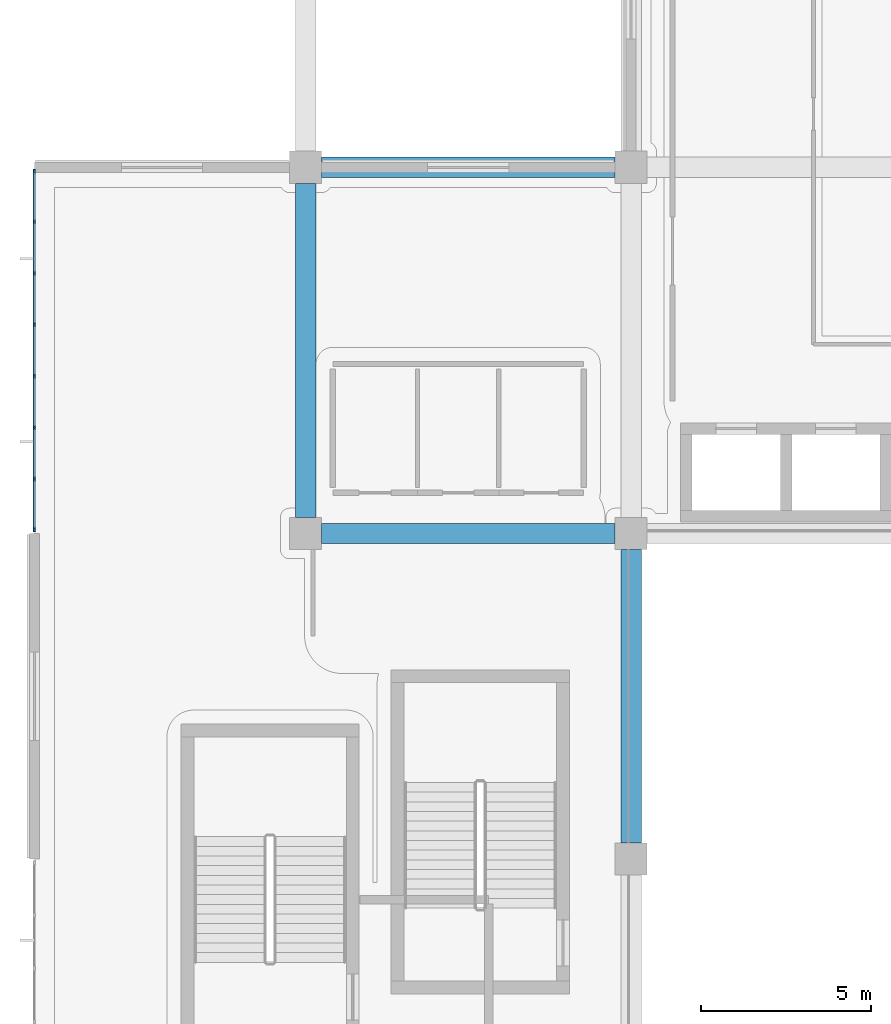
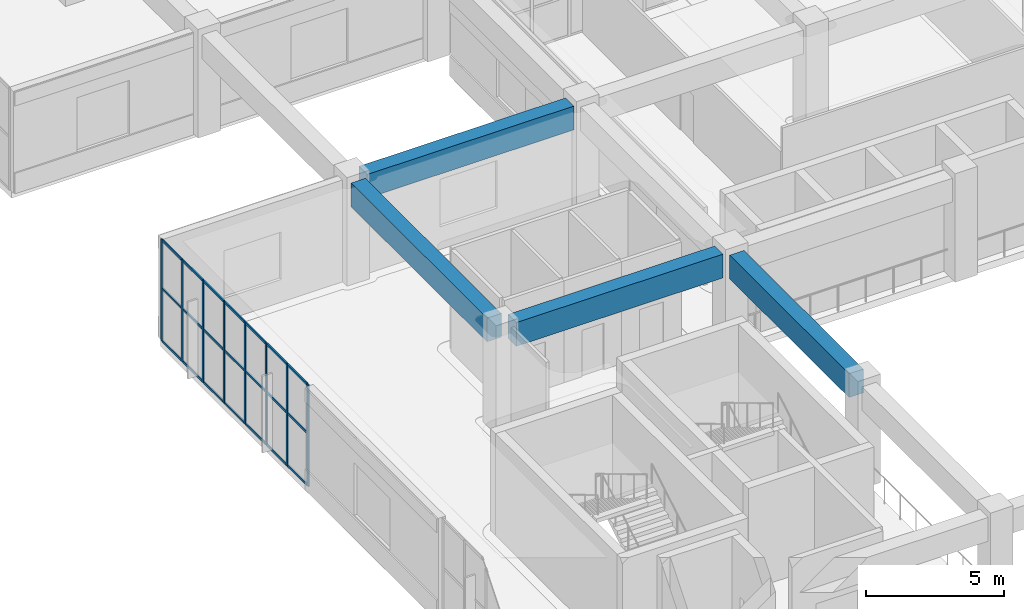
# One storey, part 11 of 86: 29 members, 4 beams, 1 element without a shape of its own.
"""IFC4 building model written with IfcOpenShell, lengths in metres."""

from ifc_helpers import new_model, si_unit, direction, frame, origin, origin_2d, place, context, subcontext, project, spatial, rectangle, extrude, material, layer, layer_set, material_profile, profile_set, type_object, element, aggregate, save


model = new_model("IFC4")

# Units and contexts
model_context = context("Model", 3, precision=1e-05, world=origin(), true_north=direction((0.0, 1.0)))
body_context = subcontext(model_context, "Body", "Model", "MODEL_VIEW")
ifc_project = project(units=[si_unit("LENGTHUNIT", "METRE"), si_unit("AREAUNIT", "SQUARE_METRE"), si_unit("VOLUMEUNIT", "CUBIC_METRE"), si_unit("PLANEANGLEUNIT", "RADIAN"), si_unit("MASSUNIT", "GRAM", prefix="KILO")], contexts=[model_context])

# Site, building, storey
site_placement = place(None, origin())
site = spatial("IfcSite", under=ifc_project, at=site_placement, CompositionType="ELEMENT")
building_placement = place(site_placement, origin())
building = spatial("IfcBuilding", under=site, at=building_placement, Name="Cendralis Terraced Arcade", CompositionType="ELEMENT")
storey_placement = place(building_placement, frame((0.0, 0.0, 5.39990234375)))
storey = spatial("IfcBuildingStorey", under=building, at=storey_placement, Name="L01", CompositionType="ELEMENT", Elevation=5.39990234375)

# Beams
ifc_material_1 = material(Name="Concrete f'c 35 MPa", Category="concrete")
ifc_material_profile_1 = material_profile(ifc_material_1, rectangle(XDim=0.60009765625, YDim=1.050048828125, at=origin_2d()), Name="RC-BM-600x1050", Category="LoadBearing")
ifc_profile_set_1 = profile_set([ifc_material_profile_1], Name="Concrete f'c 35 MPa")
beam_type = type_object("IfcBeamType", Name="BM-600x1050", PredefinedType="JOIST", material=ifc_profile_set_1)
for number, where, z_axis, x_axis, name in (
    (1, (10.074951171875, 38.39990234375, 3.97998046875), (1.0, 0.0, 0.0), (0.0, 1.0, 0.0), "Reinforced Concrete Frame Beam BM-X-L02-E-2_3"),
    (2, (10.074951171875, 49.199951171875, 3.97998046875), (1.0, 0.0, 0.0), (0.0, 1.0, 0.0), "Reinforced Concrete Frame Beam BM-X-L02-F-2_3"),
):
    element("IfcBeam", number, at=place(storey_placement, frame(where, z_axis=z_axis, x_axis=x_axis)), inside=storey, type_object=beam_type, Name=name, PredefinedType="JOIST", context=body_context, shape_type="SweptSolid", body=[
        extrude(rectangle(XDim=0.60009765625, YDim=1.050048828125, at=origin_2d()), origin(), (0.0, 0.0, 1.0), 8.650146484375),
    ])
beam_1_placement = place(storey_placement, frame((9.60009765625, 38.875, 3.97998046875), z_axis=(0.0, 1.0, 0.0), x_axis=(-1.0, 0.0, 0.0)))
element("IfcBeam", 3, at=beam_1_placement, inside=storey, type_object=beam_type, Name="Reinforced Concrete Frame Beam BM-Y-L02-2-E_F", PredefinedType="JOIST", context=body_context, shape_type="SweptSolid", body=[
    extrude(rectangle(XDim=0.60009765625, YDim=1.050048828125, at=origin_2d()), origin(), (0.0, 0.0, 1.0), 9.85009765625),
])
beam_2_placement = place(storey_placement, frame((19.199951171875, 29.27490234375, 3.97998046875), z_axis=(0.0, 1.0, 0.0), x_axis=(-1.0, 0.0, 0.0)))
element("IfcBeam", 4, at=beam_2_placement, inside=storey, type_object=beam_type, Name="Reinforced Concrete Frame Beam BM-Y-L02-3-D_E", PredefinedType="JOIST", context=body_context, shape_type="SweptSolid", body=[
    extrude(rectangle(XDim=0.60009765625, YDim=1.050048828125, at=origin_2d()), origin(), (0.0, 0.0, 1.0), 8.650146484375),
])

# Curtain wall, members
ifc_material_2 = material(Name="Anodised aluminium EN AW-6063 T6", Category="aluminium")
ifc_layer = layer(ifc_material_2, 0.1201171875, Name="CW-STORE-B")
ifc_layer_set = layer_set([ifc_layer], Name="Anodised aluminium EN AW-6063 T6")
curtain_wall_type = type_object("IfcCurtainWallType", Name="CW-STORE-B", PredefinedType="USERDEFINED", material=ifc_layer_set)
curtain_wall_placement = place(storey_placement, origin())
curtain_wall = element("IfcCurtainWall", 5, at=curtain_wall_placement, inside=storey, type_object=curtain_wall_type, Name="Exterior Storefront Glazing CW-L01-0109", ObjectType="STOREFRONT GLAZING", PredefinedType="USERDEFINED")
ifc_material_profile_2 = material_profile(ifc_material_2, rectangle(XDim=0.054931640625, YDim=0.1201171875, at=origin_2d()), Name="ALU-MUL-55x120")
ifc_profile_set_2 = profile_set([ifc_material_profile_2], Name="Anodised aluminium EN AW-6063 T6")
member_type_1 = type_object("IfcMemberType", Name="CW-STORE-B-MUL", PredefinedType="MULLION", material=ifc_profile_set_2)
member_1_placement = place(storey_placement, frame((1.60009765625, 38.517578125, 0.0), z_axis=(0.0, 0.0, 1.0), x_axis=(-1.0, 0.0, 0.0)))
member_1 = element("IfcMember", 6, at=member_1_placement, type_object=member_type_1, Name="CW-S2 mullion 1", PredefinedType="MULLION", context=body_context, shape_type="SweptSolid", body=[
    extrude(rectangle(XDim=0.054931640625, YDim=0.1201171875, at=origin_2d()), origin(), (0.0, 0.0, 1.0), 4.505126953125),
])
member_2_placement = place(storey_placement, frame((1.60009765625, 40.007080078125, 0.0), z_axis=(0.0, 0.0, 1.0), x_axis=(-1.0, 0.0, 0.0)))
member_2 = element("IfcMember", 7, at=member_2_placement, type_object=member_type_1, Name="CW-S2 mullion 2", PredefinedType="MULLION", context=body_context, shape_type="SweptSolid", body=[
    extrude(rectangle(XDim=0.054931640625, YDim=0.1201171875, at=origin_2d()), origin(), (0.0, 0.0, 1.0), 4.505126953125),
])
member_3_placement = place(storey_placement, frame((1.60009765625, 41.524169921875, 0.0), z_axis=(0.0, 0.0, 1.0), x_axis=(-1.0, 0.0, 0.0)))
member_3 = element("IfcMember", 8, at=member_3_placement, type_object=member_type_1, Name="CW-S2 mullion 3", PredefinedType="MULLION", context=body_context, shape_type="SweptSolid", body=[
    extrude(rectangle(XDim=0.054931640625, YDim=0.1201171875, at=origin_2d()), origin(), (0.0, 0.0, 1.0), 4.505126953125),
])
member_4_placement = place(storey_placement, frame((1.60009765625, 43.04150390625, 0.0), z_axis=(0.0, 0.0, 1.0), x_axis=(-1.0, 0.0, 0.0)))
member_4 = element("IfcMember", 9, at=member_4_placement, type_object=member_type_1, Name="CW-S2 mullion 4", PredefinedType="MULLION", context=body_context, shape_type="SweptSolid", body=[
    extrude(rectangle(XDim=0.054931640625, YDim=0.1201171875, at=origin_2d()), origin(), (0.0, 0.0, 1.0), 4.505126953125),
])
member_5_placement = place(storey_placement, frame((1.60009765625, 44.55859375, 0.0), z_axis=(0.0, 0.0, 1.0), x_axis=(-1.0, 0.0, 0.0)))
member_5 = element("IfcMember", 10, at=member_5_placement, type_object=member_type_1, Name="CW-S2 mullion 5", PredefinedType="MULLION", context=body_context, shape_type="SweptSolid", body=[
    extrude(rectangle(XDim=0.054931640625, YDim=0.1201171875, at=origin_2d()), origin(), (0.0, 0.0, 1.0), 4.505126953125),
])
member_6_placement = place(storey_placement, frame((1.60009765625, 46.07568359375, 0.0), z_axis=(0.0, 0.0, 1.0), x_axis=(-1.0, 0.0, 0.0)))
member_6 = element("IfcMember", 11, at=member_6_placement, type_object=member_type_1, Name="CW-S2 mullion 6", PredefinedType="MULLION", context=body_context, shape_type="SweptSolid", body=[
    extrude(rectangle(XDim=0.054931640625, YDim=0.1201171875, at=origin_2d()), origin(), (0.0, 0.0, 1.0), 4.505126953125),
])
member_7_placement = place(storey_placement, frame((1.60009765625, 47.5927734375, 0.0), z_axis=(0.0, 0.0, 1.0), x_axis=(-1.0, 0.0, 0.0)))
member_7 = element("IfcMember", 12, at=member_7_placement, type_object=member_type_1, Name="CW-S2 mullion 7", PredefinedType="MULLION", context=body_context, shape_type="SweptSolid", body=[
    extrude(rectangle(XDim=0.054931640625, YDim=0.1201171875, at=origin_2d()), origin(), (0.0, 0.0, 1.0), 4.505126953125),
])
member_8_placement = place(storey_placement, frame((1.60009765625, 49.08251953125, 0.0), z_axis=(0.0, 0.0, 1.0), x_axis=(-1.0, 0.0, 0.0)))
member_8 = element("IfcMember", 13, at=member_8_placement, type_object=member_type_1, Name="CW-S2 mullion 8", PredefinedType="MULLION", context=body_context, shape_type="SweptSolid", body=[
    extrude(rectangle(XDim=0.054931640625, YDim=0.1201171875, at=origin_2d()), origin(), (0.0, 0.0, 1.0), 4.505126953125),
])
ifc_material_profile_3 = material_profile(ifc_material_2, rectangle(XDim=0.054931640625, YDim=0.10009765625, at=origin_2d()), Name="ALU-TRN-55x100")
ifc_profile_set_3 = profile_set([ifc_material_profile_3], Name="Anodised aluminium EN AW-6063 T6")
member_type_2 = type_object("IfcMemberType", Name="CW-STORE-B-TRN", PredefinedType="USERDEFINED", material=ifc_profile_set_3)
member_9_placement = place(storey_placement, frame((1.60009765625, 38.544921875, 0.027587890625), z_axis=(0.0, 1.0, 0.0), x_axis=(-1.0, 0.0, 0.0)))
member_9 = element("IfcMember", 14, at=member_9_placement, type_object=member_type_2, Name="CW-S2 transom 1.1", ObjectType="TRANSOM", PredefinedType="USERDEFINED", context=body_context, shape_type="SweptSolid", body=[
    extrude(rectangle(XDim=0.054931640625, YDim=0.10009765625, at=origin_2d()), origin(), (0.0, 0.0, 1.0), 1.434814453125),
])
member_10_placement = place(storey_placement, frame((1.60009765625, 38.544921875, 2.3427734375), z_axis=(0.0, 1.0, 0.0), x_axis=(-1.0, 0.0, 0.0)))
member_10 = element("IfcMember", 15, at=member_10_placement, type_object=member_type_2, Name="CW-S2 transom 1.2", ObjectType="TRANSOM", PredefinedType="USERDEFINED", context=body_context, shape_type="SweptSolid", body=[
    extrude(rectangle(XDim=0.054931640625, YDim=0.10009765625, at=origin_2d()), origin(), (0.0, 0.0, 1.0), 1.434814453125),
])
member_11_placement = place(storey_placement, frame((1.60009765625, 38.544921875, 4.4775390625), z_axis=(0.0, 1.0, 0.0), x_axis=(-1.0, 0.0, 0.0)))
member_11 = element("IfcMember", 16, at=member_11_placement, type_object=member_type_2, Name="CW-S2 transom 1.3", ObjectType="TRANSOM", PredefinedType="USERDEFINED", context=body_context, shape_type="SweptSolid", body=[
    extrude(rectangle(XDim=0.054931640625, YDim=0.10009765625, at=origin_2d()), origin(), (0.0, 0.0, 1.0), 1.434814453125),
])
member_12_placement = place(storey_placement, frame((1.60009765625, 40.03466796875, 0.027587890625), z_axis=(0.0, 1.0, 0.0), x_axis=(-1.0, 0.0, 0.0)))
member_12 = element("IfcMember", 17, at=member_12_placement, type_object=member_type_2, Name="CW-S2 transom 2.1", ObjectType="TRANSOM", PredefinedType="USERDEFINED", context=body_context, shape_type="SweptSolid", body=[
    extrude(rectangle(XDim=0.054931640625, YDim=0.10009765625, at=origin_2d()), origin(), (0.0, 0.0, 1.0), 1.462158203125),
])
member_13_placement = place(storey_placement, frame((1.60009765625, 40.03466796875, 2.3427734375), z_axis=(0.0, 1.0, 0.0), x_axis=(-1.0, 0.0, 0.0)))
member_13 = element("IfcMember", 18, at=member_13_placement, type_object=member_type_2, Name="CW-S2 transom 2.2", ObjectType="TRANSOM", PredefinedType="USERDEFINED", context=body_context, shape_type="SweptSolid", body=[
    extrude(rectangle(XDim=0.054931640625, YDim=0.10009765625, at=origin_2d()), origin(), (0.0, 0.0, 1.0), 1.462158203125),
])
member_14_placement = place(storey_placement, frame((1.60009765625, 40.03466796875, 4.4775390625), z_axis=(0.0, 1.0, 0.0), x_axis=(-1.0, 0.0, 0.0)))
member_14 = element("IfcMember", 19, at=member_14_placement, type_object=member_type_2, Name="CW-S2 transom 2.3", ObjectType="TRANSOM", PredefinedType="USERDEFINED", context=body_context, shape_type="SweptSolid", body=[
    extrude(rectangle(XDim=0.054931640625, YDim=0.10009765625, at=origin_2d()), origin(), (0.0, 0.0, 1.0), 1.462158203125),
])
member_15_placement = place(storey_placement, frame((1.60009765625, 41.5517578125, 0.027587890625), z_axis=(0.0, 1.0, 0.0), x_axis=(-1.0, 0.0, 0.0)))
member_15 = element("IfcMember", 20, at=member_15_placement, type_object=member_type_2, Name="CW-S2 transom 3.1", ObjectType="TRANSOM", PredefinedType="USERDEFINED", context=body_context, shape_type="SweptSolid", body=[
    extrude(rectangle(XDim=0.054931640625, YDim=0.10009765625, at=origin_2d()), origin(), (0.0, 0.0, 1.0), 1.462158203125),
])
member_16_placement = place(storey_placement, frame((1.60009765625, 41.5517578125, 2.3427734375), z_axis=(0.0, 1.0, 0.0), x_axis=(-1.0, 0.0, 0.0)))
member_16 = element("IfcMember", 21, at=member_16_placement, type_object=member_type_2, Name="CW-S2 transom 3.2", ObjectType="TRANSOM", PredefinedType="USERDEFINED", context=body_context, shape_type="SweptSolid", body=[
    extrude(rectangle(XDim=0.054931640625, YDim=0.10009765625, at=origin_2d()), origin(), (0.0, 0.0, 1.0), 1.462158203125),
])
member_17_placement = place(storey_placement, frame((1.60009765625, 41.5517578125, 4.4775390625), z_axis=(0.0, 1.0, 0.0), x_axis=(-1.0, 0.0, 0.0)))
member_17 = element("IfcMember", 22, at=member_17_placement, type_object=member_type_2, Name="CW-S2 transom 3.3", ObjectType="TRANSOM", PredefinedType="USERDEFINED", context=body_context, shape_type="SweptSolid", body=[
    extrude(rectangle(XDim=0.054931640625, YDim=0.10009765625, at=origin_2d()), origin(), (0.0, 0.0, 1.0), 1.462158203125),
])
member_18_placement = place(storey_placement, frame((1.60009765625, 43.06884765625, 0.027587890625), z_axis=(0.0, 1.0, 0.0), x_axis=(-1.0, 0.0, 0.0)))
member_18 = element("IfcMember", 23, at=member_18_placement, type_object=member_type_2, Name="CW-S2 transom 4.1", ObjectType="TRANSOM", PredefinedType="USERDEFINED", context=body_context, shape_type="SweptSolid", body=[
    extrude(rectangle(XDim=0.054931640625, YDim=0.10009765625, at=origin_2d()), origin(), (0.0, 0.0, 1.0), 1.462158203125),
])
member_19_placement = place(storey_placement, frame((1.60009765625, 43.06884765625, 2.3427734375), z_axis=(0.0, 1.0, 0.0), x_axis=(-1.0, 0.0, 0.0)))
member_19 = element("IfcMember", 24, at=member_19_placement, type_object=member_type_2, Name="CW-S2 transom 4.2", ObjectType="TRANSOM", PredefinedType="USERDEFINED", context=body_context, shape_type="SweptSolid", body=[
    extrude(rectangle(XDim=0.054931640625, YDim=0.10009765625, at=origin_2d()), origin(), (0.0, 0.0, 1.0), 1.462158203125),
])
member_20_placement = place(storey_placement, frame((1.60009765625, 43.06884765625, 4.4775390625), z_axis=(0.0, 1.0, 0.0), x_axis=(-1.0, 0.0, 0.0)))
member_20 = element("IfcMember", 25, at=member_20_placement, type_object=member_type_2, Name="CW-S2 transom 4.3", ObjectType="TRANSOM", PredefinedType="USERDEFINED", context=body_context, shape_type="SweptSolid", body=[
    extrude(rectangle(XDim=0.054931640625, YDim=0.10009765625, at=origin_2d()), origin(), (0.0, 0.0, 1.0), 1.462158203125),
])
member_21_placement = place(storey_placement, frame((1.60009765625, 44.586181640625, 0.027587890625), z_axis=(0.0, 1.0, 0.0), x_axis=(-1.0, 0.0, 0.0)))
member_21 = element("IfcMember", 26, at=member_21_placement, type_object=member_type_2, Name="CW-S2 transom 5.1", ObjectType="TRANSOM", PredefinedType="USERDEFINED", context=body_context, shape_type="SweptSolid", body=[
    extrude(rectangle(XDim=0.054931640625, YDim=0.10009765625, at=origin_2d()), origin(), (0.0, 0.0, 1.0), 1.4619140625),
])
member_22_placement = place(storey_placement, frame((1.60009765625, 44.586181640625, 2.3427734375), z_axis=(0.0, 1.0, 0.0), x_axis=(-1.0, 0.0, 0.0)))
member_22 = element("IfcMember", 27, at=member_22_placement, type_object=member_type_2, Name="CW-S2 transom 5.2", ObjectType="TRANSOM", PredefinedType="USERDEFINED", context=body_context, shape_type="SweptSolid", body=[
    extrude(rectangle(XDim=0.054931640625, YDim=0.10009765625, at=origin_2d()), origin(), (0.0, 0.0, 1.0), 1.4619140625),
])
member_23_placement = place(storey_placement, frame((1.60009765625, 44.586181640625, 4.4775390625), z_axis=(0.0, 1.0, 0.0), x_axis=(-1.0, 0.0, 0.0)))
member_23 = element("IfcMember", 28, at=member_23_placement, type_object=member_type_2, Name="CW-S2 transom 5.3", ObjectType="TRANSOM", PredefinedType="USERDEFINED", context=body_context, shape_type="SweptSolid", body=[
    extrude(rectangle(XDim=0.054931640625, YDim=0.10009765625, at=origin_2d()), origin(), (0.0, 0.0, 1.0), 1.4619140625),
])
member_24_placement = place(storey_placement, frame((1.60009765625, 46.103271484375, 0.027587890625), z_axis=(0.0, 1.0, 0.0), x_axis=(-1.0, 0.0, 0.0)))
member_24 = element("IfcMember", 29, at=member_24_placement, type_object=member_type_2, Name="CW-S2 transom 6.1", ObjectType="TRANSOM", PredefinedType="USERDEFINED", context=body_context, shape_type="SweptSolid", body=[
    extrude(rectangle(XDim=0.054931640625, YDim=0.10009765625, at=origin_2d()), origin(), (0.0, 0.0, 1.0), 1.462158203125),
])
member_25_placement = place(storey_placement, frame((1.60009765625, 46.103271484375, 2.3427734375), z_axis=(0.0, 1.0, 0.0), x_axis=(-1.0, 0.0, 0.0)))
member_25 = element("IfcMember", 30, at=member_25_placement, type_object=member_type_2, Name="CW-S2 transom 6.2", ObjectType="TRANSOM", PredefinedType="USERDEFINED", context=body_context, shape_type="SweptSolid", body=[
    extrude(rectangle(XDim=0.054931640625, YDim=0.10009765625, at=origin_2d()), origin(), (0.0, 0.0, 1.0), 1.462158203125),
])
member_26_placement = place(storey_placement, frame((1.60009765625, 46.103271484375, 4.4775390625), z_axis=(0.0, 1.0, 0.0), x_axis=(-1.0, 0.0, 0.0)))
member_26 = element("IfcMember", 31, at=member_26_placement, type_object=member_type_2, Name="CW-S2 transom 6.3", ObjectType="TRANSOM", PredefinedType="USERDEFINED", context=body_context, shape_type="SweptSolid", body=[
    extrude(rectangle(XDim=0.054931640625, YDim=0.10009765625, at=origin_2d()), origin(), (0.0, 0.0, 1.0), 1.462158203125),
])
member_27_placement = place(storey_placement, frame((1.60009765625, 47.620361328125, 0.027587890625), z_axis=(0.0, 1.0, 0.0), x_axis=(-1.0, 0.0, 0.0)))
member_27 = element("IfcMember", 32, at=member_27_placement, type_object=member_type_2, Name="CW-S2 transom 7.1", ObjectType="TRANSOM", PredefinedType="USERDEFINED", context=body_context, shape_type="SweptSolid", body=[
    extrude(rectangle(XDim=0.054931640625, YDim=0.10009765625, at=origin_2d()), origin(), (0.0, 0.0, 1.0), 1.4345703125),
])
member_28_placement = place(storey_placement, frame((1.60009765625, 47.620361328125, 2.3427734375), z_axis=(0.0, 1.0, 0.0), x_axis=(-1.0, 0.0, 0.0)))
member_28 = element("IfcMember", 33, at=member_28_placement, type_object=member_type_2, Name="CW-S2 transom 7.2", ObjectType="TRANSOM", PredefinedType="USERDEFINED", context=body_context, shape_type="SweptSolid", body=[
    extrude(rectangle(XDim=0.054931640625, YDim=0.10009765625, at=origin_2d()), origin(), (0.0, 0.0, 1.0), 1.4345703125),
])
member_29_placement = place(storey_placement, frame((1.60009765625, 47.620361328125, 4.4775390625), z_axis=(0.0, 1.0, 0.0), x_axis=(-1.0, 0.0, 0.0)))
member_29 = element("IfcMember", 34, at=member_29_placement, type_object=member_type_2, Name="CW-S2 transom 7.3", ObjectType="TRANSOM", PredefinedType="USERDEFINED", context=body_context, shape_type="SweptSolid", body=[
    extrude(rectangle(XDim=0.054931640625, YDim=0.10009765625, at=origin_2d()), origin(), (0.0, 0.0, 1.0), 1.4345703125),
])
aggregate(curtain_wall, [member_1, member_2, member_3, member_4, member_5, member_6, member_7, member_8, member_9, member_10, member_11, member_12, member_13, member_14, member_15, member_16, member_17, member_18, member_19, member_20, member_21, member_22, member_23, member_24, member_25, member_26, member_27, member_28, member_29])

save(model, "model.ifc")
